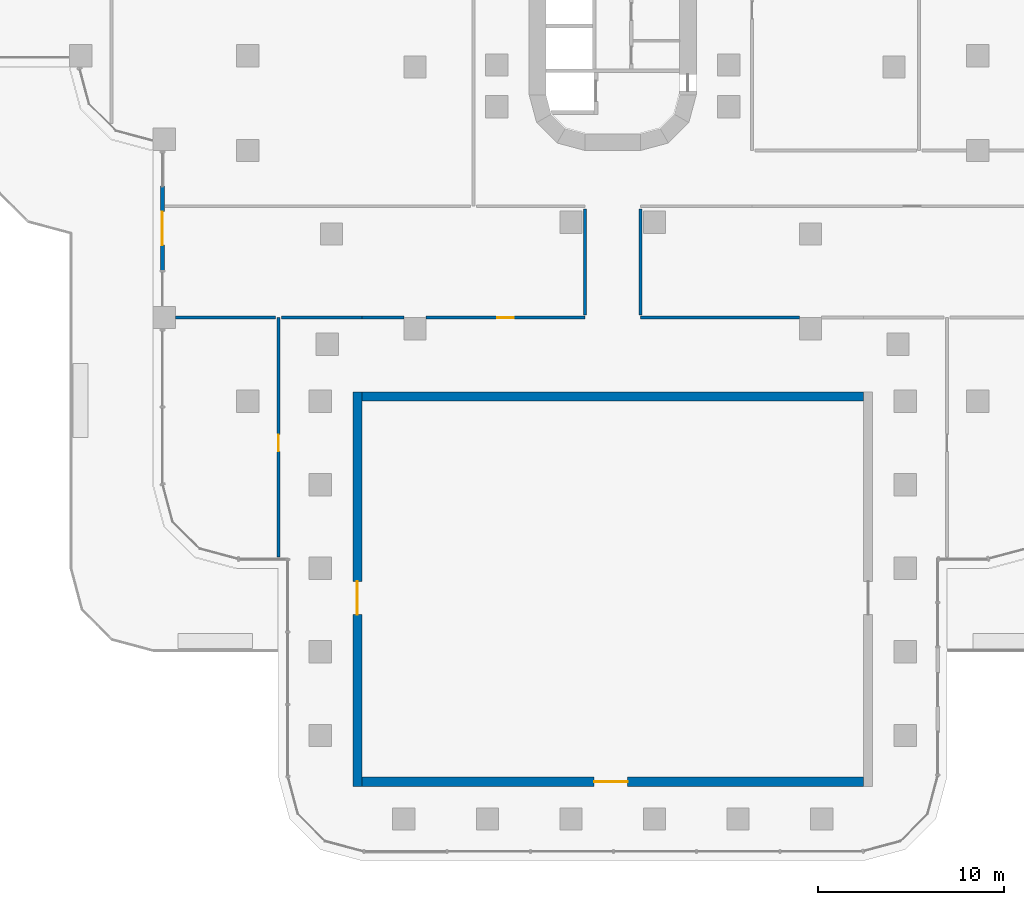
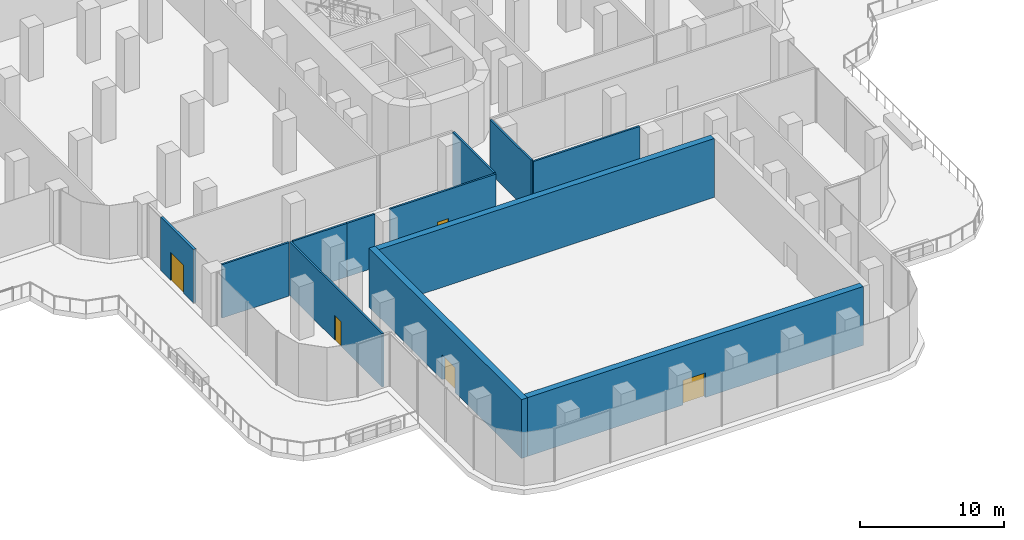
# One storey, part 16 of 30: 12 walls, 5 doors, 5 openings.
"""IFC4 building model written with IfcOpenShell, lengths in metres."""

from ifc_helpers import new_model, si_unit, direction, frame, frame_2d, origin, place, context, subcontext, project, spatial, rectangle, extrude, material, layer, layer_set, type_object, element, fill, save


model = new_model("IFC4")

# Units and contexts
model_context = context("Model", 3, precision=1e-05, world=origin(), true_north=direction((0.0, 1.0)))
body_context = subcontext(model_context, "Body", "Model", "MODEL_VIEW")
ifc_project = project(units=[si_unit("LENGTHUNIT", "METRE"), si_unit("AREAUNIT", "SQUARE_METRE"), si_unit("VOLUMEUNIT", "CUBIC_METRE"), si_unit("PLANEANGLEUNIT", "RADIAN"), si_unit("MASSUNIT", "GRAM", prefix="KILO")], contexts=[model_context])

# Site, building, storey
site_placement = place(None, origin())
site = spatial("IfcSite", under=ifc_project, at=site_placement, CompositionType="ELEMENT")
building_placement = place(site_placement, origin())
building = spatial("IfcBuilding", under=site, at=building_placement, Name="Zarbagh Exchange Tower", CompositionType="ELEMENT")
storey_placement = place(building_placement, frame((0.0, 0.0, 7.0)))
storey = spatial("IfcBuildingStorey", under=building, at=storey_placement, Name="L01", CompositionType="ELEMENT", Elevation=7.0)

# Wall, opening, door
ifc_material_1 = material(Name="Plasterboard partition")
ifc_layer_1 = layer(ifc_material_1, 0.14990234375)
ifc_layer_set_1 = layer_set([ifc_layer_1], Name="Board partition 150")
wall_type_1 = type_object("IfcWallType", Name="Board partition 150", PredefinedType="PARTITIONING", material=ifc_layer_set_1)
wall_1_placement = place(storey_placement, frame((-18.0, -51.14990234375, 0.0), z_axis=(0.0, 0.0, 1.0), x_axis=(0.0, 1.0, 0.0)))
wall_1 = element("IfcWall", 1, at=wall_1_placement, inside=storey, type_object=wall_type_1, Name="WL-L01-W022", PredefinedType="PARTITIONING", context=body_context, shape_type="SweptSolid", body=[
    extrude(rectangle(XDim=12.89990234375, YDim=0.14990234375, at=frame_2d((6.449951171875, 0.0))), origin(), (0.0, 0.0, 1.0), 4.550048828125),
])
opening_1_placement = place(wall_1_placement, frame((5.699951171875, 0.0, 0.0)))
opening_1 = element("IfcOpeningElement", 2, at=opening_1_placement, cuts=wall_1, Name="Opening D32", PredefinedType="OPENING", context=body_context, shape_type="SweptSolid", body=[
    extrude(rectangle(XDim=0.89990234375, YDim=2.10009765625, at=frame_2d((0.449951171875, 1.050048828125))), frame((0.0, 0.0849609375, 0.0), z_axis=(0.0, -1.0, 0.0), x_axis=(1.0, 0.0, 0.0)), (0.0, 0.0, 1.0), 0.169921875),
])
ifc_material_2 = material(Name="Timber door leaf", Category="wood")
door_type_1 = type_object("IfcDoorType", Name="Door single 900x2100", OperationType="SINGLE_SWING_LEFT", PredefinedType="DOOR", material=ifc_material_2)
door_1_placement = place(opening_1_placement, origin())
door_1 = element("IfcDoor", 3, at=door_1_placement, inside=storey, type_object=door_type_1, Name="D02", OperationType="SINGLE_SWING_LEFT", OverallHeight=2.10009765625, OverallWidth=0.89990234375, PredefinedType="DOOR", context=body_context, shape_type="SweptSolid", body=[
    extrude(rectangle(XDim=0.89990234375, YDim=2.10009765625, at=frame_2d((0.449951171875, 1.050048828125))), frame((0.0, 0.02490234375, 0.0), z_axis=(0.0, -1.0, 0.0), x_axis=(1.0, 0.0, 0.0)), (0.0, 0.0, 1.0), 0.050048828125),
])
fill(opening_1, door_1)

# Walls
wall_2_placement = place(storey_placement, frame((-17.85009765625, -38.25, 0.0), z_axis=(0.0, 0.0, 1.0), x_axis=(1.0, 0.0, 0.0)))
element("IfcWall", 4, at=wall_2_placement, inside=storey, type_object=wall_type_1, Name="WL-L01-W025", PredefinedType="PARTITIONING", context=body_context, shape_type="SweptSolid", body=[
    extrude(rectangle(XDim=4.35009765625, YDim=0.14990234375, at=frame_2d((2.175048828125, 0.0))), origin(), (0.0, 0.0, 1.0), 4.550048828125),
])
wall_3_placement = place(storey_placement, frame((1.5, -38.25, 0.0), z_axis=(0.0, 0.0, 1.0), x_axis=(1.0, 0.0, 0.0)))
element("IfcWall", 5, at=wall_3_placement, inside=storey, type_object=wall_type_1, Name="WL-L01-W026", PredefinedType="PARTITIONING", context=body_context, shape_type="SweptSolid", body=[
    extrude(rectangle(XDim=8.550048828125, YDim=0.14990234375, at=frame_2d((4.27490234375, 0.0))), origin(), (0.0, 0.0, 1.0), 4.550048828125),
])
wall_4_placement = place(storey_placement, frame((-13.5, -38.25, 0.0), z_axis=(0.0, 0.0, 1.0), x_axis=(1.0, 0.0, 0.0)))
element("IfcWall", 6, at=wall_4_placement, inside=storey, type_object=wall_type_1, Name="WL-L01-W028", PredefinedType="PARTITIONING", context=body_context, shape_type="SweptSolid", body=[
    extrude(rectangle(XDim=2.25, YDim=0.14990234375, at=frame_2d((1.125, 0.0))), origin(), (0.0, 0.0, 1.0), 4.550048828125),
])

# Wall, opening, door
wall_5_placement = place(storey_placement, frame((-10.050048828125, -38.25, 0.0), z_axis=(0.0, 0.0, 1.0), x_axis=(1.0, 0.0, 0.0)))
wall_5 = element("IfcWall", 7, at=wall_5_placement, inside=storey, type_object=wall_type_1, Name="WL-L01-W029", PredefinedType="PARTITIONING", context=body_context, shape_type="SweptSolid", body=[
    extrude(rectangle(XDim=8.550048828125, YDim=0.14990234375, at=frame_2d((4.27490234375, 0.0))), origin(), (0.0, 0.0, 1.0), 4.550048828125),
])
opening_2_placement = place(wall_5_placement, frame((3.824951171875, 0.0, 0.0)))
opening_2 = element("IfcOpeningElement", 8, at=opening_2_placement, cuts=wall_5, Name="Opening D37", PredefinedType="OPENING", context=body_context, shape_type="SweptSolid", body=[
    extrude(rectangle(XDim=0.89990234375, YDim=2.10009765625, at=frame_2d((0.449951171875, 1.050048828125))), frame((0.0, 0.0849609375, 0.0), z_axis=(0.0, -1.0, 0.0), x_axis=(1.0, 0.0, 0.0)), (0.0, 0.0, 1.0), 0.169921875),
])
door_2_placement = place(opening_2_placement, origin())
door_2 = element("IfcDoor", 9, at=door_2_placement, inside=storey, type_object=door_type_1, Name="D04", OperationType="SINGLE_SWING_LEFT", OverallHeight=2.10009765625, OverallWidth=0.89990234375, PredefinedType="DOOR", context=body_context, shape_type="SweptSolid", body=[
    extrude(rectangle(XDim=0.89990234375, YDim=2.10009765625, at=frame_2d((0.449951171875, 1.050048828125))), frame((0.0, 0.02490234375, 0.0), z_axis=(0.0, -1.0, 0.0), x_axis=(1.0, 0.0, 0.0)), (0.0, 0.0, 1.0), 0.050048828125),
])
fill(opening_2, door_2)

# Walls
wall_6_placement = place(storey_placement, frame((-23.550048828125, -38.25, 0.0), z_axis=(0.0, 0.0, 1.0), x_axis=(1.0, 0.0, 0.0)))
element("IfcWall", 10, at=wall_6_placement, inside=storey, type_object=wall_type_1, Name="WL-L01-W054", PredefinedType="PARTITIONING", context=body_context, shape_type="SweptSolid", body=[
    extrude(rectangle(XDim=5.400146484375, YDim=0.14990234375, at=frame_2d((2.7001953125, 0.0))), origin(), (0.0, 0.0, 1.0), 4.550048828125),
])
for number, where, z_axis, x_axis, name in (
    (11, (1.5, -32.39990234375, 0.0), (0.0, 0.0, 1.0), (0.0, -1.0, 0.0), "WL-L01-W083"),
    (12, (-1.5, -38.10009765625, 0.0), (0.0, 0.0, 1.0), (0.0, 1.0, 0.0), "WL-L01-W084"),
):
    element("IfcWall", number, at=place(storey_placement, frame(where, z_axis=z_axis, x_axis=x_axis)), inside=storey, type_object=wall_type_1, Name=name, PredefinedType="PARTITIONING", context=body_context, shape_type="SweptSolid", body=[
        extrude(rectangle(XDim=5.7001953125, YDim=0.14990234375, at=frame_2d((2.85009765625, 0.0))), origin(), (0.0, 0.0, 1.0), 4.550048828125),
    ])

# Wall, opening, door
ifc_material_3 = material(Name="Concrete C50/60", Category="concrete")
ifc_layer_2 = layer(ifc_material_3, 0.5)
ifc_layer_set_2 = layer_set([ifc_layer_2], Name="RC hall wall 500 C50/60")
wall_type_2 = type_object("IfcWallType", Name="RC hall wall 500 C50/60", PredefinedType="SOLIDWALL", material=ifc_layer_set_2)
wall_7_placement = place(storey_placement, frame((-13.75, -63.5, 0.0), z_axis=(0.0, 0.0, 1.0), x_axis=(0.0, 1.0, 0.0)))
wall_7 = element("IfcWall", 13, at=wall_7_placement, inside=storey, type_object=wall_type_2, Name="CW11 hall", PredefinedType="SOLIDWALL", context=body_context, shape_type="SweptSolid", body=[
    extrude(rectangle(XDim=21.25, YDim=0.5, at=frame_2d((10.625, 0.0))), origin(), (0.0, 0.0, 1.0), 5.0),
])
opening_3_placement = place(wall_7_placement, frame((9.25, 0.0, 0.0)))
opening_3 = element("IfcOpeningElement", 14, at=opening_3_placement, cuts=wall_7, Name="Opening DH01", PredefinedType="OPENING", context=body_context, shape_type="SweptSolid", body=[
    extrude(rectangle(XDim=1.800048828125, YDim=2.10009765625, at=frame_2d((0.89990234375, 1.050048828125))), frame((0.0, 0.260009765625, 0.0), z_axis=(0.0, -1.0, 0.0), x_axis=(1.0, 0.0, 0.0)), (0.0, 0.0, 1.0), 0.52001953125),
])
ifc_material_4 = material(Name="Steel door set", Category="steel")
door_type_2 = type_object("IfcDoorType", Name="Door pair 1800x2100 EI 60", OperationType="DOUBLE_DOOR_DOUBLE_SWING", PredefinedType="DOOR", material=ifc_material_4)
door_3_placement = place(opening_3_placement, origin())
door_3 = element("IfcDoor", 15, at=door_3_placement, inside=storey, type_object=door_type_2, Name="DH01", OperationType="DOUBLE_DOOR_DOUBLE_SWING", OverallHeight=2.10009765625, OverallWidth=1.800048828125, PredefinedType="DOOR", context=body_context, shape_type="SweptSolid", body=[
    extrude(rectangle(XDim=1.800048828125, YDim=2.10009765625, at=frame_2d((0.89990234375, 1.050048828125))), frame((0.0, 0.02490234375, 0.0), z_axis=(0.0, -1.0, 0.0), x_axis=(1.0, 0.0, 0.0)), (0.0, 0.0, 1.0), 0.050048828125),
])
fill(opening_3, door_3)

wall_8_placement = place(storey_placement, frame((-13.5, -63.25, 0.0), z_axis=(0.0, 0.0, 1.0), x_axis=(1.0, 0.0, 0.0)))
wall_8 = element("IfcWall", 16, at=wall_8_placement, inside=storey, type_object=wall_type_2, Name="CW11 hall", PredefinedType="SOLIDWALL", context=body_context, shape_type="SweptSolid", body=[
    extrude(rectangle(XDim=27.0, YDim=0.5, at=frame_2d((13.5, 0.0))), origin(), (0.0, 0.0, 1.0), 5.0),
])
opening_4_placement = place(wall_8_placement, frame((12.5, 0.0, 0.0)))
opening_4 = element("IfcOpeningElement", 17, at=opening_4_placement, cuts=wall_8, Name="Opening DH03", PredefinedType="OPENING", context=body_context, shape_type="SweptSolid", body=[
    extrude(rectangle(XDim=1.800048828125, YDim=2.10009765625, at=frame_2d((0.89990234375, 1.050048828125))), frame((0.0, 0.260009765625, 0.0), z_axis=(0.0, -1.0, 0.0), x_axis=(1.0, 0.0, 0.0)), (0.0, 0.0, 1.0), 0.52001953125),
])
door_4_placement = place(opening_4_placement, origin())
door_4 = element("IfcDoor", 18, at=door_4_placement, inside=storey, type_object=door_type_2, Name="DH03", OperationType="DOUBLE_DOOR_DOUBLE_SWING", OverallHeight=2.10009765625, OverallWidth=1.800048828125, PredefinedType="DOOR", context=body_context, shape_type="SweptSolid", body=[
    extrude(rectangle(XDim=1.800048828125, YDim=2.10009765625, at=frame_2d((0.89990234375, 1.050048828125))), frame((0.0, 0.02490234375, 0.0), z_axis=(0.0, -1.0, 0.0), x_axis=(1.0, 0.0, 0.0)), (0.0, 0.0, 1.0), 0.050048828125),
])
fill(opening_4, door_4)

# Wall
wall_9_placement = place(storey_placement, frame((-13.5, -42.5, 0.0), z_axis=(0.0, 0.0, 1.0), x_axis=(1.0, 0.0, 0.0)))
element("IfcWall", 19, at=wall_9_placement, inside=storey, type_object=wall_type_2, Name="CW11 hall", PredefinedType="SOLIDWALL", context=body_context, shape_type="SweptSolid", body=[
    extrude(rectangle(XDim=27.0, YDim=0.5, at=frame_2d((13.5, 0.0))), origin(), (0.0, 0.0, 1.0), 5.0),
])

# Wall, opening, door
ifc_material_5 = material(Name="Precast concrete C50/60", Category="concrete")
ifc_layer_3 = layer(ifc_material_5, 0.199951171875)
ifc_layer_set_3 = layer_set([ifc_layer_3], Name="Terrace door wall, precast concrete C50/60")
wall_type_3 = type_object("IfcWallType", Name="Terrace door wall, precast concrete C50/60", PredefinedType="SOLIDWALL", material=ifc_layer_set_3)
wall_10_placement = place(storey_placement, frame((-24.25, -31.16015625, 0.0), z_axis=(0.0, 0.0, 1.0), x_axis=(0.0, -1.0, 0.0)))
wall_10 = element("IfcWall", 20, at=wall_10_placement, inside=storey, type_object=wall_type_3, Name="TW08 door wall", PredefinedType="SOLIDWALL", context=body_context, shape_type="SweptSolid", body=[
    extrude(rectangle(XDim=4.579833984375, YDim=0.199951171875, at=frame_2d((2.2900390625, 0.0))), origin(), (0.0, 0.0, 1.0), 4.550048828125),
])
opening_5_placement = place(wall_10_placement, frame((1.389892578125, 0.0, 0.0)))
opening_5 = element("IfcOpeningElement", 21, at=opening_5_placement, cuts=wall_10, Name="Opening TD03", PredefinedType="OPENING", context=body_context, shape_type="SweptSolid", body=[
    extrude(rectangle(XDim=1.800048828125, YDim=2.39990234375, at=frame_2d((0.89990234375, 1.199951171875))), frame((0.0, 0.10986328125, 0.0), z_axis=(0.0, -1.0, 0.0), x_axis=(1.0, 0.0, 0.0)), (0.0, 0.0, 1.0), 0.219970703125),
])
ifc_material_6 = material(Name="Anodised aluminium and glass", Category="aluminium")
door_type_3 = type_object("IfcDoorType", Name="Terrace door, double leaf, aluminium and glass", OperationType="DOUBLE_DOOR_DOUBLE_SWING", PredefinedType="DOOR", material=ifc_material_6)
door_5_placement = place(opening_5_placement, origin())
door_5 = element("IfcDoor", 22, at=door_5_placement, inside=storey, type_object=door_type_3, Name="TD03 terrace door", OperationType="SINGLE_SWING_LEFT", OverallHeight=2.39990234375, OverallWidth=1.800048828125, PredefinedType="DOOR", context=body_context, shape_type="SweptSolid", body=[
    extrude(rectangle(XDim=1.800048828125, YDim=2.39990234375, at=frame_2d((0.89990234375, 1.199951171875))), frame((0.0, 0.02490234375, 0.0), z_axis=(0.0, -1.0, 0.0), x_axis=(1.0, 0.0, 0.0)), (0.0, 0.0, 1.0), 0.050048828125),
])
fill(opening_5, door_5)

save(model, "model.ifc")
